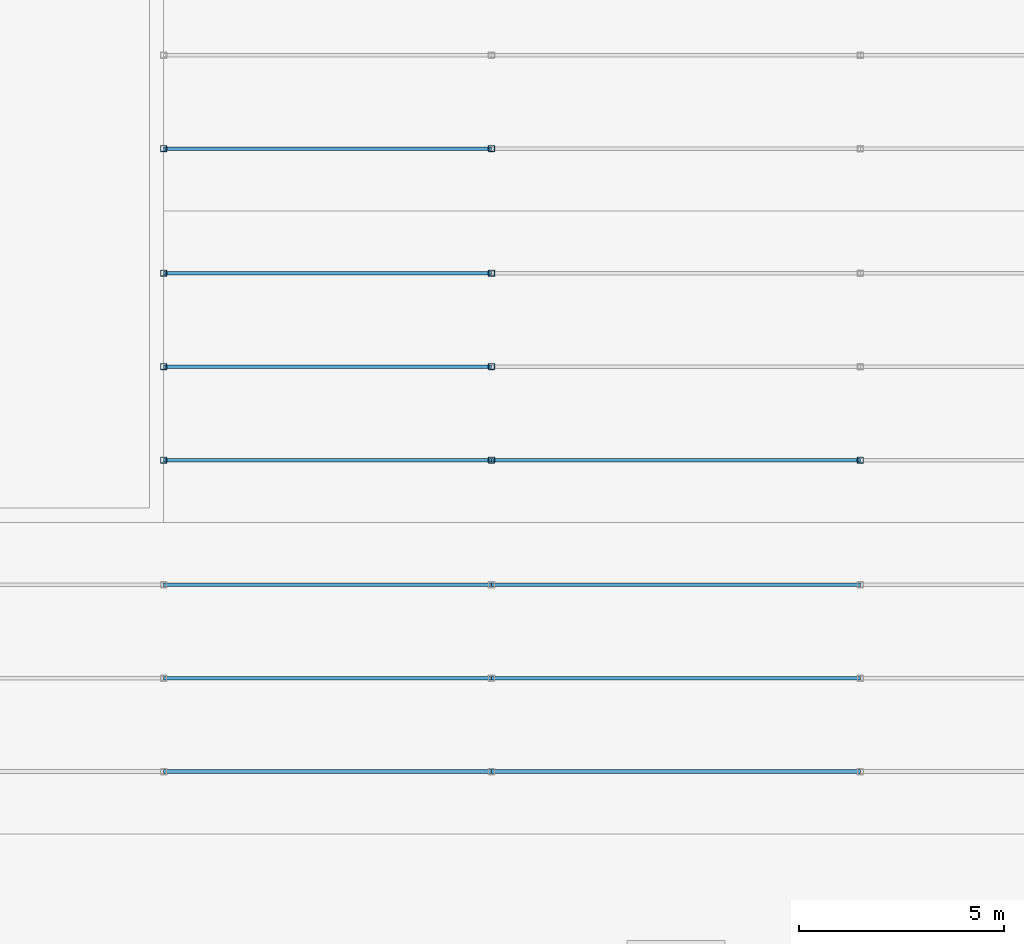
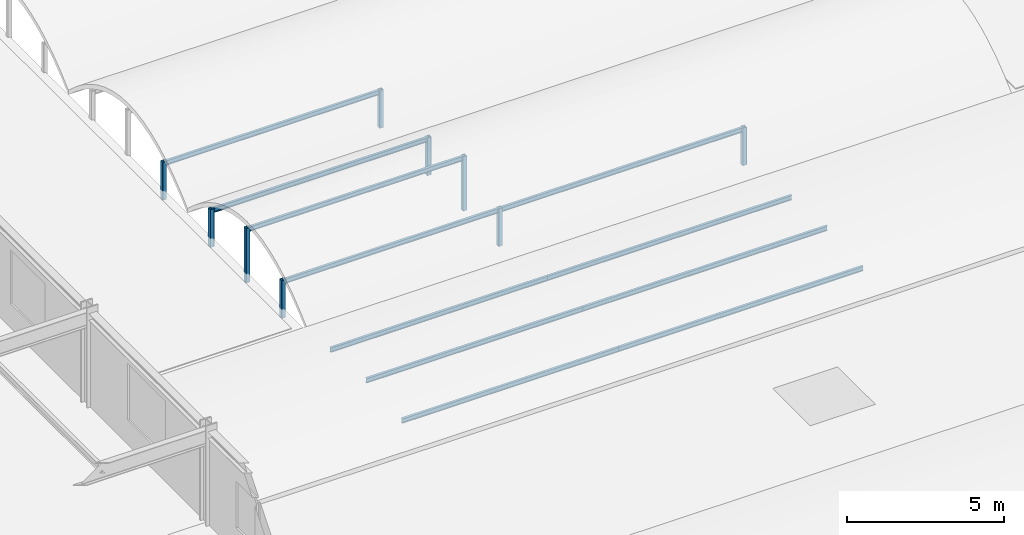
# One storey, part 15 of 46: 20 members.
"""IFC4 building model written with IfcOpenShell, lengths in metres."""

from ifc_helpers import new_model, si_unit, direction, frame, origin, origin_2d, place, context, subcontext, project, spatial, hollow_rectangle, i_section, extrude, material, material_profile, profile_set, type_object, element, save


model = new_model("IFC4")

# Units and contexts
model_context = context("Model", 3, precision=1e-05, world=origin(), true_north=direction((0.0, 1.0)))
body_context = subcontext(model_context, "Body", "Model", "MODEL_VIEW")
ifc_project = project(units=[si_unit("LENGTHUNIT", "METRE"), si_unit("AREAUNIT", "SQUARE_METRE"), si_unit("VOLUMEUNIT", "CUBIC_METRE"), si_unit("PLANEANGLEUNIT", "RADIAN"), si_unit("MASSUNIT", "GRAM", prefix="KILO")], contexts=[model_context])

# Site, building, storey
site_placement = place(None, origin())
site = spatial("IfcSite", under=ifc_project, at=site_placement, CompositionType="ELEMENT")
building_placement = place(site_placement, origin())
building = spatial("IfcBuilding", under=site, at=building_placement, Name="Shalkamar Park Central Library", CompositionType="ELEMENT")
storey_placement = place(building_placement, frame((0.0, 0.0, 20.39990234375)))
storey = spatial("IfcBuildingStorey", under=building, at=storey_placement, Name="L05", CompositionType="ELEMENT", Elevation=20.39990234375)

# Members
ifc_material = material(Name="Steel S355", Category="steel")
ifc_material_profile_1 = material_profile(ifc_material, hollow_rectangle(XDim=0.14990234375, YDim=0.14990234375, WallThickness=0.008056640625, InnerFilletRadius=0.008056640625, OuterFilletRadius=0.011962890625, at=origin_2d()), Name="SHS 150x150x8")
ifc_profile_set_1 = profile_set([ifc_material_profile_1], Name="Steel S355")
member_type_1 = type_object("IfcMemberType", Name="Diagonal Brace SHS150", PredefinedType="BRACE", material=ifc_profile_set_1)
member_1_placement = place(storey_placement, frame((229.0, 271.919921875, -0.35986328125), z_axis=(0.0, 0.0, 1.0), x_axis=(1.0, 0.0, 0.0)))
element("IfcMember", 1, at=member_1_placement, inside=storey, type_object=member_type_1, Name="Vault Arch Post BV-L04-1-15.1", PredefinedType="BRACE", context=body_context, shape_type="SweptSolid", body=[
    extrude(hollow_rectangle(XDim=0.14990234375, YDim=0.14990234375, WallThickness=0.008056640625, InnerFilletRadius=0.008056640625, OuterFilletRadius=0.011962890625, at=origin_2d()), origin(), (0.0, 0.0, 1.0), 1.471923828125),
])
member_2_placement = place(storey_placement, frame((229.0, 274.199951171875, -0.35986328125), z_axis=(0.0, 0.0, 1.0), x_axis=(1.0, 0.0, 0.0)))
element("IfcMember", 2, at=member_2_placement, inside=storey, type_object=member_type_1, Name="Vault Arch Post BV-L04-1-15.2", PredefinedType="BRACE", context=body_context, shape_type="SweptSolid", body=[
    extrude(hollow_rectangle(XDim=0.14990234375, YDim=0.14990234375, WallThickness=0.008056640625, InnerFilletRadius=0.008056640625, OuterFilletRadius=0.011962890625, at=origin_2d()), origin(), (0.0, 0.0, 1.0), 2.119873046875),
])
for number, where, z_axis, x_axis, name in (
    (3, (229.0, 276.47998046875, -0.35986328125), (0.0, 0.0, 1.0), (1.0, 0.0, 0.0), "Vault Arch Post BV-L04-1-15.3"),
    (4, (237.0, 271.919921875, -0.35986328125), (0.0, 0.0, 1.0), (1.0, 0.0, 0.0), "Vault Arch Post BV-L04-1-16.1"),
):
    element("IfcMember", number, at=place(storey_placement, frame(where, z_axis=z_axis, x_axis=x_axis)), inside=storey, type_object=member_type_1, Name=name, PredefinedType="BRACE", context=body_context, shape_type="SweptSolid", body=[
        extrude(hollow_rectangle(XDim=0.14990234375, YDim=0.14990234375, WallThickness=0.008056640625, InnerFilletRadius=0.008056640625, OuterFilletRadius=0.011962890625, at=origin_2d()), origin(), (0.0, 0.0, 1.0), 1.471923828125),
    ])
member_3_placement = place(storey_placement, frame((237.0, 274.199951171875, -0.35986328125), z_axis=(0.0, 0.0, 1.0), x_axis=(1.0, 0.0, 0.0)))
element("IfcMember", 5, at=member_3_placement, inside=storey, type_object=member_type_1, Name="Vault Arch Post BV-L04-1-16.2", PredefinedType="BRACE", context=body_context, shape_type="SweptSolid", body=[
    extrude(hollow_rectangle(XDim=0.14990234375, YDim=0.14990234375, WallThickness=0.008056640625, InnerFilletRadius=0.008056640625, OuterFilletRadius=0.011962890625, at=origin_2d()), origin(), (0.0, 0.0, 1.0), 2.119873046875),
])
for number, where, z_axis, x_axis, name in (
    (6, (237.0, 276.47998046875, -0.35986328125), (0.0, 0.0, 1.0), (1.0, 0.0, 0.0), "Vault Arch Post BV-L04-1-16.3"),
    (7, (246.0, 271.919921875, -0.35986328125), (0.0, 0.0, 1.0), (1.0, 0.0, 0.0), "Vault Arch Post BV-L04-1-17.1"),
    (8, (229.0, 279.52001953125, -0.35986328125), (0.0, 0.0, 1.0), (1.0, 0.0, 0.0), "Vault Arch Post BV-L04-2-15.1"),
    (9, (237.0, 279.52001953125, -0.35986328125), (0.0, 0.0, 1.0), (1.0, 0.0, 0.0), "Vault Arch Post BV-L04-2-16.1"),
):
    element("IfcMember", number, at=place(storey_placement, frame(where, z_axis=z_axis, x_axis=x_axis)), inside=storey, type_object=member_type_1, Name=name, PredefinedType="BRACE", context=body_context, shape_type="SweptSolid", body=[
        extrude(hollow_rectangle(XDim=0.14990234375, YDim=0.14990234375, WallThickness=0.008056640625, InnerFilletRadius=0.008056640625, OuterFilletRadius=0.011962890625, at=origin_2d()), origin(), (0.0, 0.0, 1.0), 1.471923828125),
    ])
ifc_material_profile_2 = material_profile(ifc_material, i_section(OverallWidth=0.091064453125, OverallDepth=0.179931640625, WebThickness=0.00537109375, FlangeThickness=0.008056640625, FilletRadius=0.009033203125, at=origin_2d()), Name="IPE 180")
ifc_profile_set_2 = profile_set([ifc_material_profile_2], Name="Steel S355")
member_type_2 = type_object("IfcMemberType", Name="Roof Purlin IPE180", PredefinedType="PURLIN", material=ifc_profile_set_2)
member_4_placement = place(storey_placement, frame((229.0, 271.919921875, 1.022216796875), z_axis=(1.0, 0.0, 0.0), x_axis=(0.0, 1.0, 0.0)))
element("IfcMember", 10, at=member_4_placement, inside=storey, type_object=member_type_2, Name="Barrel Roof Purlin BV-L04-1-1.15", PredefinedType="PURLIN", context=body_context, shape_type="SweptSolid", body=[
    extrude(i_section(OverallWidth=0.091064453125, OverallDepth=0.179931640625, WebThickness=0.00537109375, FlangeThickness=0.008056640625, FilletRadius=0.009033203125, at=origin_2d()), origin(), (0.0, 0.0, 1.0), 8.0),
])
member_5_placement = place(storey_placement, frame((237.0, 271.919921875, 1.022216796875), z_axis=(1.0, 0.0, 0.0), x_axis=(0.0, 1.0, 0.0)))
element("IfcMember", 11, at=member_5_placement, inside=storey, type_object=member_type_2, Name="Barrel Roof Purlin BV-L04-1-1.16", PredefinedType="PURLIN", context=body_context, shape_type="SweptSolid", body=[
    extrude(i_section(OverallWidth=0.091064453125, OverallDepth=0.179931640625, WebThickness=0.00537109375, FlangeThickness=0.008056640625, FilletRadius=0.009033203125, at=origin_2d()), origin(), (0.0, 0.0, 1.0), 9.0),
])
for number, where, z_axis, x_axis, name in (
    (12, (229.0, 274.199951171875, 1.670166015625), (1.0, 0.0, 0.0), (0.0, 1.0, 0.0), "Barrel Roof Purlin BV-L04-1-2.15"),
    (13, (229.0, 276.47998046875, 1.022216796875), (1.0, 0.0, 0.0), (0.0, 1.0, 0.0), "Barrel Roof Purlin BV-L04-1-3.15"),
    (14, (229.0, 279.52001953125, 1.022216796875), (1.0, 0.0, 0.0), (0.0, 1.0, 0.0), "Barrel Roof Purlin BV-L04-2-1.15"),
    (15, (229.0, 264.320068359375, 0.202880859375), (1.0, 0.0, 0.0), (0.0, 1.0, 0.0), "Barrel Roof Purlin BV-L04-S2-1.15"),
):
    element("IfcMember", number, at=place(storey_placement, frame(where, z_axis=z_axis, x_axis=x_axis)), inside=storey, type_object=member_type_2, Name=name, PredefinedType="PURLIN", context=body_context, shape_type="SweptSolid", body=[
        extrude(i_section(OverallWidth=0.091064453125, OverallDepth=0.179931640625, WebThickness=0.00537109375, FlangeThickness=0.008056640625, FilletRadius=0.009033203125, at=origin_2d()), origin(), (0.0, 0.0, 1.0), 8.0),
    ])
member_6_placement = place(storey_placement, frame((237.0, 264.320068359375, 0.202880859375), z_axis=(1.0, 0.0, 0.0), x_axis=(0.0, 1.0, 0.0)))
element("IfcMember", 16, at=member_6_placement, inside=storey, type_object=member_type_2, Name="Barrel Roof Purlin BV-L04-S2-1.16", PredefinedType="PURLIN", context=body_context, shape_type="SweptSolid", body=[
    extrude(i_section(OverallWidth=0.091064453125, OverallDepth=0.179931640625, WebThickness=0.00537109375, FlangeThickness=0.008056640625, FilletRadius=0.009033203125, at=origin_2d()), origin(), (0.0, 0.0, 1.0), 9.0),
])
member_7_placement = place(storey_placement, frame((229.0, 266.60009765625, 0.39013671875), z_axis=(1.0, 0.0, 0.0), x_axis=(0.0, 1.0, 0.0)))
element("IfcMember", 17, at=member_7_placement, inside=storey, type_object=member_type_2, Name="Barrel Roof Purlin BV-L04-S2-2.15", PredefinedType="PURLIN", context=body_context, shape_type="SweptSolid", body=[
    extrude(i_section(OverallWidth=0.091064453125, OverallDepth=0.179931640625, WebThickness=0.00537109375, FlangeThickness=0.008056640625, FilletRadius=0.009033203125, at=origin_2d()), origin(), (0.0, 0.0, 1.0), 8.0),
])
member_8_placement = place(storey_placement, frame((237.0, 266.60009765625, 0.39013671875), z_axis=(1.0, 0.0, 0.0), x_axis=(0.0, 1.0, 0.0)))
element("IfcMember", 18, at=member_8_placement, inside=storey, type_object=member_type_2, Name="Barrel Roof Purlin BV-L04-S2-2.16", PredefinedType="PURLIN", context=body_context, shape_type="SweptSolid", body=[
    extrude(i_section(OverallWidth=0.091064453125, OverallDepth=0.179931640625, WebThickness=0.00537109375, FlangeThickness=0.008056640625, FilletRadius=0.009033203125, at=origin_2d()), origin(), (0.0, 0.0, 1.0), 9.0),
])
member_9_placement = place(storey_placement, frame((229.0, 268.8798828125, 0.202880859375), z_axis=(1.0, 0.0, 0.0), x_axis=(0.0, 1.0, 0.0)))
element("IfcMember", 19, at=member_9_placement, inside=storey, type_object=member_type_2, Name="Barrel Roof Purlin BV-L04-S2-3.15", PredefinedType="PURLIN", context=body_context, shape_type="SweptSolid", body=[
    extrude(i_section(OverallWidth=0.091064453125, OverallDepth=0.179931640625, WebThickness=0.00537109375, FlangeThickness=0.008056640625, FilletRadius=0.009033203125, at=origin_2d()), origin(), (0.0, 0.0, 1.0), 8.0),
])
member_10_placement = place(storey_placement, frame((237.0, 268.8798828125, 0.202880859375), z_axis=(1.0, 0.0, 0.0), x_axis=(0.0, 1.0, 0.0)))
element("IfcMember", 20, at=member_10_placement, inside=storey, type_object=member_type_2, Name="Barrel Roof Purlin BV-L04-S2-3.16", PredefinedType="PURLIN", context=body_context, shape_type="SweptSolid", body=[
    extrude(i_section(OverallWidth=0.091064453125, OverallDepth=0.179931640625, WebThickness=0.00537109375, FlangeThickness=0.008056640625, FilletRadius=0.009033203125, at=origin_2d()), origin(), (0.0, 0.0, 1.0), 9.0),
])

save(model, "model.ifc")
